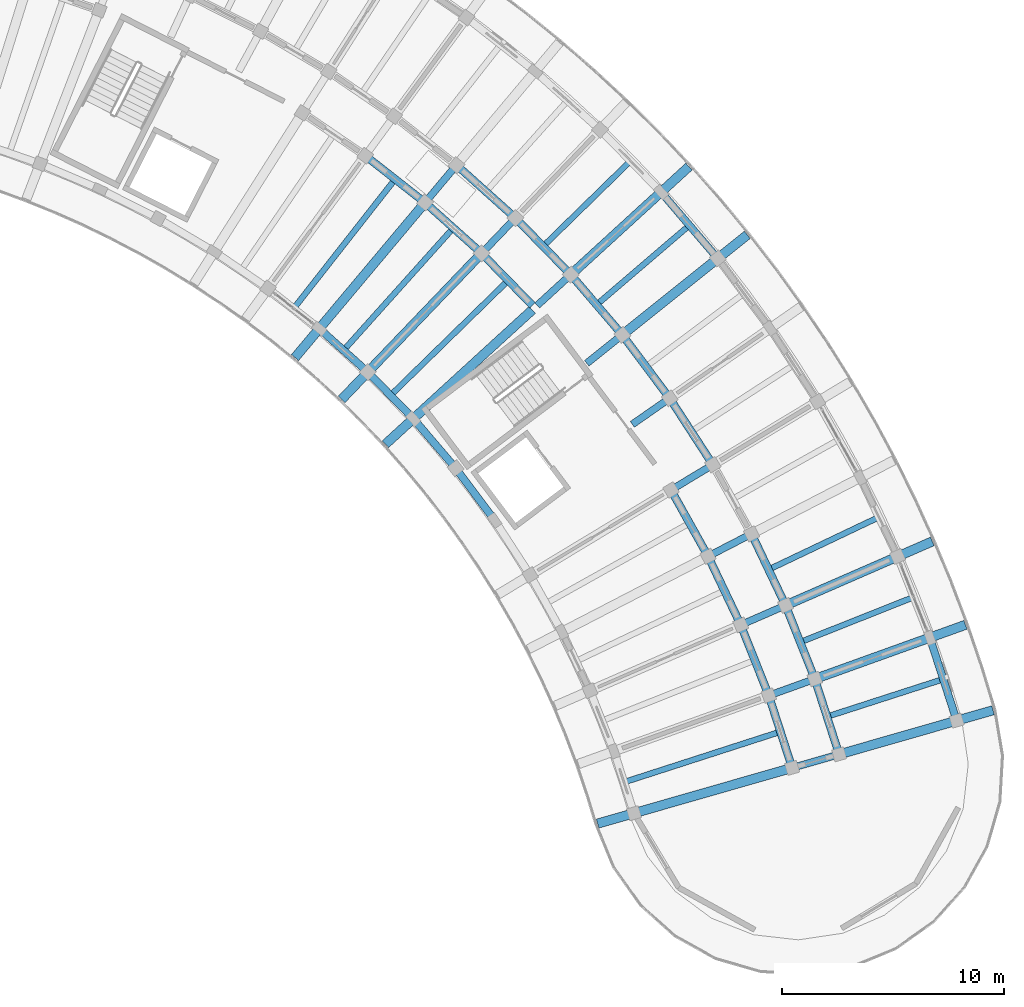
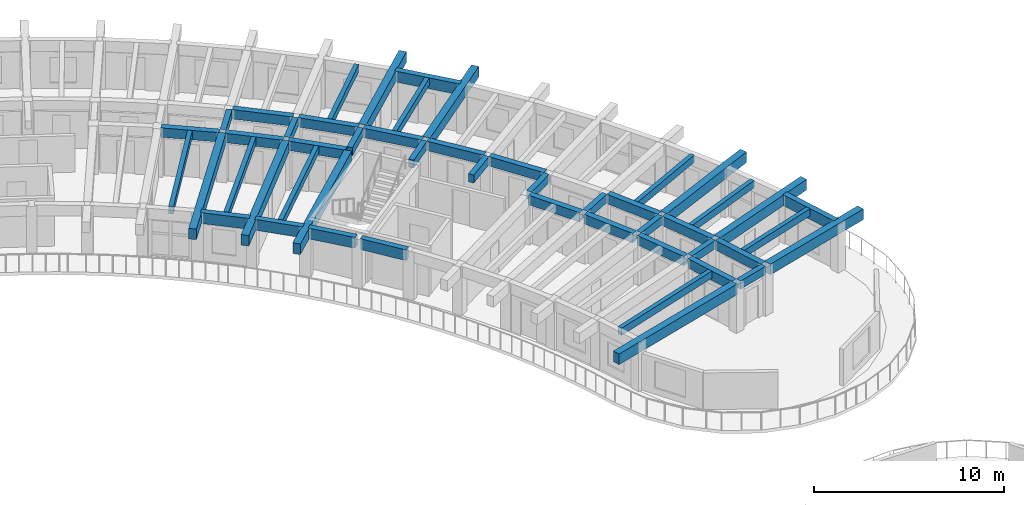
# One storey, part 36 of 96: 49 beams.
"""IFC4 building model written with IfcOpenShell, lengths in metres."""

from ifc_helpers import new_model, si_unit, direction, frame, origin, origin_2d, place, context, subcontext, project, spatial, rectangle, extrude, material, material_profile, profile_set, type_object, element, save


model = new_model("IFC4")

# Units and contexts
model_context = context("Model", 3, precision=1e-05, world=origin(), true_north=direction((0.0, 1.0)))
body_context = subcontext(model_context, "Body", "Model", "MODEL_VIEW")
ifc_project = project(units=[si_unit("LENGTHUNIT", "METRE"), si_unit("AREAUNIT", "SQUARE_METRE"), si_unit("VOLUMEUNIT", "CUBIC_METRE"), si_unit("PLANEANGLEUNIT", "RADIAN"), si_unit("MASSUNIT", "GRAM", prefix="KILO")], contexts=[model_context])

# Site, building, storey
site_placement = place(None, origin())
site = spatial("IfcSite", under=ifc_project, at=site_placement, CompositionType="ELEMENT")
building_placement = place(site_placement, origin())
building = spatial("IfcBuilding", under=site, at=building_placement, Name="Tanwirah Colonnade Gardens", CompositionType="ELEMENT")
storey_placement = place(building_placement, frame((0.0, 0.0, 12.199951171875)))
storey = spatial("IfcBuildingStorey", under=building, at=storey_placement, Name="L03", CompositionType="ELEMENT", Elevation=12.199951171875)

# Beams
ifc_material_1 = material(Name="Precast concrete C40/50", Category="concrete")
ifc_material_profile_1 = material_profile(ifc_material_1, rectangle(XDim=0.320068359375, YDim=0.52001953125, at=origin_2d()), Name="PC-BM 320x520")
ifc_profile_set_1 = profile_set([ifc_material_profile_1], Name="Precast concrete C40/50")
beam_type_1 = type_object("IfcBeamType", Name="BM-PC320", PredefinedType="BEAM", material=ifc_profile_set_1)
for number, where, z_axis, x_axis, name in (
    (1, (170.985595703125, 74.533203125, 2.844970703125), (0.961266538157, 0.275620468433, 0.0), (-0.275620468433, 0.961266538157, 0.0), "Block B L03 Corridor Tie Beam 0"),
    (2, (169.9326171875, 77.79541015625, 2.844970703125), (0.941021664552, 0.338346311999, 0.0), (-0.338346311999, 0.941021664552, 0.0), "Block B L03 Corridor Tie Beam 1"),
    (3, (168.6669921875, 80.981201171875, 2.844970703125), (0.916681481826, 0.399618644306, 0.0), (-0.399618644306, 0.916681481826, 0.0), "Block B L03 Corridor Tie Beam 2"),
):
    element("IfcBeam", number, at=place(storey_placement, frame(where, z_axis=z_axis, x_axis=x_axis)), inside=storey, type_object=beam_type_1, Name=name, PredefinedType="BEAM", context=body_context, shape_type="SweptSolid", body=[
        extrude(rectangle(XDim=0.320068359375, YDim=0.52001953125, at=origin_2d()), origin(), (0.0, 0.0, 1.0), 1.89990234375),
    ])
beam_1_placement = place(storey_placement, frame((167.194091796875, 84.07666015625, 2.844970703125), z_axis=(0.888385730697, 0.459097803844, 0.0), x_axis=(-0.459097803844, 0.888385730697, 0.0)))
element("IfcBeam", 4, at=beam_1_placement, inside=storey, type_object=beam_type_1, Name="Block B L03 Corridor Tie Beam 3", PredefinedType="BEAM", context=body_context, shape_type="SweptSolid", body=[
    extrude(rectangle(XDim=0.320068359375, YDim=0.52001953125, at=origin_2d()), origin(), (0.0, 0.0, 1.0), 1.900146484375),
])
for number, where, z_axis, x_axis, name in (
    (5, (165.520751953125, 87.068359375, 2.844970703125), (0.856174920318, 0.516686080534, 0.0), (-0.516686080534, 0.856174920318, 0.0), "Block B L03 Corridor Tie Beam 4"),
    (6, (163.653564453125, 89.943359375, 2.844970703125), (0.820305001782, 0.571926309983, 0.0), (-0.571926309983, 0.820305001782, 0.0), "Block B L03 Corridor Tie Beam 5"),
    (7, (161.601318359375, 92.68896484375, 2.844970703125), (0.78073089418, 0.624867402633, 0.0), (-0.624867402633, 0.78073089418, 0.0), "Block B L03 Corridor Tie Beam 6"),
    (8, (159.37255859375, 95.29345703125, 2.844970703125), (0.737948361517, 0.674857181732, 0.0), (-0.674857181732, 0.737948361517, 0.0), "Block B L03 Corridor Tie Beam 7"),
):
    element("IfcBeam", number, at=place(storey_placement, frame(where, z_axis=z_axis, x_axis=x_axis)), inside=storey, type_object=beam_type_1, Name=name, PredefinedType="BEAM", context=body_context, shape_type="SweptSolid", body=[
        extrude(rectangle(XDim=0.320068359375, YDim=0.52001953125, at=origin_2d()), origin(), (0.0, 0.0, 1.0), 1.89990234375),
    ])
beam_2_placement = place(storey_placement, frame((156.976806640625, 97.74560546875, 2.844970703125), z_axis=(0.691913735329, 0.721980181766, 0.0), x_axis=(-0.721980181766, 0.691913735329, 0.0)))
element("IfcBeam", 9, at=beam_2_placement, inside=storey, type_object=beam_type_1, Name="Block B L03 Corridor Tie Beam 8", PredefinedType="BEAM", context=body_context, shape_type="SweptSolid", body=[
    extrude(rectangle(XDim=0.320068359375, YDim=0.52001953125, at=origin_2d()), origin(), (0.0, 0.0, 1.0), 1.900146484375),
])
beam_3_placement = place(storey_placement, frame((154.425048828125, 100.034423828125, 2.844970703125), z_axis=(0.642797194343, 0.766036400535, 0.0), x_axis=(-0.766036400535, 0.642797194343, 0.0)))
element("IfcBeam", 10, at=beam_3_placement, inside=storey, type_object=beam_type_1, Name="Block B L03 Corridor Tie Beam 9", PredefinedType="BEAM", context=body_context, shape_type="SweptSolid", body=[
    extrude(rectangle(XDim=0.320068359375, YDim=0.52001953125, at=origin_2d()), origin(), (0.0, 0.0, 1.0), 1.89990234375),
])
ifc_material_profile_2 = material_profile(ifc_material_1, rectangle(XDim=0.35009765625, YDim=0.60009765625, at=origin_2d()), Name="PC-BM 350x600")
ifc_profile_set_2 = profile_set([ifc_material_profile_2], Name="Precast concrete C40/50")
beam_type_2 = type_object("IfcBeamType", Name="BM-PC350B", PredefinedType="BEAM", material=ifc_profile_set_2)
beam_4_placement = place(storey_placement, frame((170.79541015625, 74.634521484375, 2.804931640625), z_axis=(-0.307169780148, 0.951654730542, 0.0), x_axis=(-0.951654730542, -0.307169780148, 0.0)))
element("IfcBeam", 11, at=beam_4_placement, inside=storey, type_object=beam_type_2, Name="Block B L03 Circumferential Beam 0-R1", PredefinedType="BEAM", context=body_context, shape_type="SweptSolid", body=[
    extrude(rectangle(XDim=0.35009765625, YDim=0.60009765625, at=origin_2d()), origin(), (0.0, 0.0, 1.0), 3.117919921875),
])
beam_5_placement = place(storey_placement, frame((172.91015625, 75.240966796875, 2.804931640625), z_axis=(-0.307212636327, 0.9516408966, 0.0), x_axis=(-0.9516408966, -0.307212636327, 0.0)))
element("IfcBeam", 12, at=beam_5_placement, inside=storey, type_object=beam_type_2, Name="Block B L03 Circumferential Beam 0-R2", PredefinedType="BEAM", context=body_context, shape_type="SweptSolid", body=[
    extrude(rectangle(XDim=0.35009765625, YDim=0.60009765625, at=origin_2d()), origin(), (0.0, 0.0, 1.0), 3.262939453125),
])
beam_6_placement = place(storey_placement, frame((169.736083984375, 77.884033203125, 2.804931640625), z_axis=(-0.369189105832, 0.929354294193, 0.0), x_axis=(-0.929354294193, -0.369189105832, 0.0)))
element("IfcBeam", 13, at=beam_6_placement, inside=storey, type_object=beam_type_2, Name="Block B L03 Circumferential Beam 1-R1", PredefinedType="BEAM", context=body_context, shape_type="SweptSolid", body=[
    extrude(rectangle(XDim=0.35009765625, YDim=0.60009765625, at=origin_2d()), origin(), (0.0, 0.0, 1.0), 3.117919921875),
])
beam_7_placement = place(storey_placement, frame((171.806396484375, 78.62841796875, 2.804931640625), z_axis=(-0.369209712056, 0.929346108037, 0.0), x_axis=(-0.929346108037, -0.369209712056, 0.0)))
element("IfcBeam", 14, at=beam_7_placement, inside=storey, type_object=beam_type_2, Name="Block B L03 Circumferential Beam 1-R2", PredefinedType="BEAM", context=body_context, shape_type="SweptSolid", body=[
    extrude(rectangle(XDim=0.35009765625, YDim=0.60009765625, at=origin_2d()), origin(), (0.0, 0.0, 1.0), 3.26318359375),
])
beam_8_placement = place(storey_placement, frame((168.465087890625, 81.056640625, 2.804931640625), z_axis=(-0.429620507728, 0.903009534468, 0.0), x_axis=(-0.903009534468, -0.429620507728, 0.0)))
element("IfcBeam", 15, at=beam_8_placement, inside=storey, type_object=beam_type_2, Name="Block B L03 Circumferential Beam 2-R1", PredefinedType="BEAM", context=body_context, shape_type="SweptSolid", body=[
    extrude(rectangle(XDim=0.35009765625, YDim=0.60009765625, at=origin_2d()), origin(), (0.0, 0.0, 1.0), 3.1181640625),
])
beam_9_placement = place(storey_placement, frame((170.481689453125, 81.935791015625, 2.804931640625), z_axis=(-0.4295908638, 0.90302363742, 0.0), x_axis=(-0.90302363742, -0.4295908638, 0.0)))
element("IfcBeam", 16, at=beam_9_placement, inside=storey, type_object=beam_type_2, Name="Block B L03 Circumferential Beam 2-R2", PredefinedType="BEAM", context=body_context, shape_type="SweptSolid", body=[
    extrude(rectangle(XDim=0.35009765625, YDim=0.60009765625, at=origin_2d()), origin(), (0.0, 0.0, 1.0), 3.26318359375),
])
beam_10_placement = place(storey_placement, frame((166.98779296875, 84.138671875, 2.804931640625), z_axis=(-0.488200372352, 0.872731571811, 0.0), x_axis=(-0.872731571811, -0.488200372352, 0.0)))
element("IfcBeam", 17, at=beam_10_placement, inside=storey, type_object=beam_type_2, Name="Block B L03 Circumferential Beam 3-R1", PredefinedType="BEAM", context=body_context, shape_type="SweptSolid", body=[
    extrude(rectangle(XDim=0.35009765625, YDim=0.60009765625, at=origin_2d()), origin(), (0.0, 0.0, 1.0), 3.117919921875),
])
for number, where, z_axis, x_axis, name in (
    (18, (167.194091796875, 88.25341796875, 2.804931640625), (-0.544627998385, 0.838677735114, 0.0), (-0.838677735114, -0.544627998385, 0.0), "Block B L03 Circumferential Beam 4-R2"),
    (19, (165.245361328125, 91.236083984375, 2.804931640625), (-0.59871829396, 0.800959677186, 0.0), (-0.800959677186, -0.59871829396, 0.0), "Block B L03 Circumferential Beam 5-R2"),
):
    element("IfcBeam", number, at=place(storey_placement, frame(where, z_axis=z_axis, x_axis=x_axis)), inside=storey, type_object=beam_type_2, Name=name, PredefinedType="BEAM", context=body_context, shape_type="SweptSolid", body=[
        extrude(rectangle(XDim=0.35009765625, YDim=0.60009765625, at=origin_2d()), origin(), (0.0, 0.0, 1.0), 3.262939453125),
    ])
beam_11_placement = place(storey_placement, frame((163.1044921875, 94.083740234375, 2.804931640625), z_axis=(-0.650218192342, 0.759747525398, 0.0), x_axis=(-0.759747525398, -0.650218192342, 0.0)))
element("IfcBeam", 20, at=beam_11_placement, inside=storey, type_object=beam_type_2, Name="Block B L03 Circumferential Beam 6-R2", PredefinedType="BEAM", context=body_context, shape_type="SweptSolid", body=[
    extrude(rectangle(XDim=0.35009765625, YDim=0.60009765625, at=origin_2d()), origin(), (0.0, 0.0, 1.0), 3.26318359375),
])
beam_12_placement = place(storey_placement, frame((159.156982421875, 95.299560546875, 2.804931640625), z_axis=(-0.698837366631, 0.715280598787, 0.0), x_axis=(-0.715280598787, -0.698837366631, 0.0)))
element("IfcBeam", 21, at=beam_12_placement, inside=storey, type_object=beam_type_2, Name="Block B L03 Circumferential Beam 7-R1", PredefinedType="BEAM", context=body_context, shape_type="SweptSolid", body=[
    extrude(rectangle(XDim=0.35009765625, YDim=0.60009765625, at=origin_2d()), origin(), (0.0, 0.0, 1.0), 3.117919921875),
])
beam_13_placement = place(storey_placement, frame((160.780517578125, 96.7841796875, 2.804931640625), z_axis=(-0.698829447339, 0.71528833594, 0.0), x_axis=(-0.71528833594, -0.698829447339, 0.0)))
element("IfcBeam", 22, at=beam_13_placement, inside=storey, type_object=beam_type_2, Name="Block B L03 Circumferential Beam 7-R2", PredefinedType="BEAM", context=body_context, shape_type="SweptSolid", body=[
    extrude(rectangle(XDim=0.35009765625, YDim=0.60009765625, at=origin_2d()), origin(), (0.0, 0.0, 1.0), 3.263427734375),
])
beam_14_placement = place(storey_placement, frame((156.761474609375, 97.7373046875, 2.804931640625), z_axis=(-0.744429866059, 0.667700662363, 0.0), x_axis=(-0.667700662363, -0.744429866059, 0.0)))
element("IfcBeam", 23, at=beam_14_placement, inside=storey, type_object=beam_type_2, Name="Block B L03 Circumferential Beam 8-R1", PredefinedType="BEAM", context=body_context, shape_type="SweptSolid", body=[
    extrude(rectangle(XDim=0.35009765625, YDim=0.60009765625, at=origin_2d()), origin(), (0.0, 0.0, 1.0), 3.1181640625),
])
beam_15_placement = place(storey_placement, frame((158.283447265625, 99.32568359375, 2.804931640625), z_axis=(-0.744409136578, 0.667723773262, 0.0), x_axis=(-0.667723773262, -0.744409136578, 0.0)))
element("IfcBeam", 24, at=beam_15_placement, inside=storey, type_object=beam_type_2, Name="Block B L03 Circumferential Beam 8-R2", PredefinedType="BEAM", context=body_context, shape_type="SweptSolid", body=[
    extrude(rectangle(XDim=0.35009765625, YDim=0.60009765625, at=origin_2d()), origin(), (0.0, 0.0, 1.0), 3.26318359375),
])
beam_16_placement = place(storey_placement, frame((154.21044921875, 100.011962890625, 2.804931640625), z_axis=(-0.78679899272, 0.617209320292, 0.0), x_axis=(-0.617209320292, -0.78679899272, 0.0)))
element("IfcBeam", 25, at=beam_16_placement, inside=storey, type_object=beam_type_2, Name="Block B L03 Circumferential Beam 9-R1", PredefinedType="BEAM", context=body_context, shape_type="SweptSolid", body=[
    extrude(rectangle(XDim=0.35009765625, YDim=0.60009765625, at=origin_2d()), origin(), (0.0, 0.0, 1.0), 3.1181640625),
])
ifc_material_2 = material(Name="Precast concrete C45/55", Category="concrete")
ifc_material_profile_3 = material_profile(ifc_material_2, rectangle(XDim=0.419921875, YDim=0.679931640625, at=origin_2d()), Name="PC-BM 420x680")
ifc_profile_set_3 = profile_set([ifc_material_profile_3], Name="Precast concrete C45/55")
beam_type_3 = type_object("IfcBeamType", Name="BM-PC420", PredefinedType="BEAM", material=ifc_profile_set_3)
beam_17_placement = place(storey_placement, frame((170.697265625, 74.450439453125, 2.76513671875), z_axis=(-0.961258954076, -0.275646917646, 0.0), x_axis=(0.275646917646, -0.961258954076, 0.0)))
element("IfcBeam", 26, at=beam_17_placement, inside=storey, type_object=beam_type_3, Name="Block B L03 Inner Radial Precast Girder 0", PredefinedType="BEAM", context=body_context, shape_type="SweptSolid", body=[
    extrude(rectangle(XDim=0.419921875, YDim=0.679931640625, at=origin_2d()), origin(), (0.0, 0.0, 1.0), 8.949951171875),
])
for number, where, z_axis, x_axis, name in (
    (27, (173.100341796875, 75.1396484375, 2.76513671875), (0.961266085595, 0.275622046806, 0.0), (-0.275622046806, 0.961266085595, 0.0), "Block B L03 Outer Radial Precast Girder 0"),
    (28, (172.0029296875, 78.539794921875, 2.76513671875), (0.941011841171, 0.338373631917, 0.0), (-0.338373631917, 0.941011841171, 0.0), "Block B L03 Outer Radial Precast Girder 1"),
):
    element("IfcBeam", number, at=place(storey_placement, frame(where, z_axis=z_axis, x_axis=x_axis)), inside=storey, type_object=beam_type_3, Name=name, PredefinedType="BEAM", context=body_context, shape_type="SweptSolid", body=[
        extrude(rectangle(XDim=0.419921875, YDim=0.679931640625, at=origin_2d()), origin(), (0.0, 0.0, 1.0), 7.0498046875),
    ])
for number, where, z_axis, x_axis, name in (
    (29, (170.68359375, 81.8603515625, 2.76513671875), (0.916678725612, 0.399624966702, 0.0), (-0.399624966702, 0.916678725612, 0.0), "Block B L03 Outer Radial Precast Girder 2"),
    (30, (163.319091796875, 94.0634765625, 2.76513671875), (0.780794476885, 0.624787951921, 0.0), (-0.624787951921, 0.780794476885, 0.0), "Block B L03 Outer Radial Precast Girder 6"),
):
    element("IfcBeam", number, at=place(storey_placement, frame(where, z_axis=z_axis, x_axis=x_axis)), inside=storey, type_object=beam_type_3, Name=name, PredefinedType="BEAM", context=body_context, shape_type="SweptSolid", body=[
        extrude(rectangle(XDim=0.419921875, YDim=0.679931640625, at=origin_2d()), origin(), (0.0, 0.0, 1.0), 7.050048828125),
    ])
beam_18_placement = place(storey_placement, frame((159.151123046875, 95.091064453125, 2.76513671875), z_axis=(-0.737937205818, -0.674869380154, 0.0), x_axis=(0.674869380154, -0.737937205818, 0.0)))
element("IfcBeam", 31, at=beam_18_placement, inside=storey, type_object=beam_type_3, Name="Block B L03 Inner Radial Precast Girder 7", PredefinedType="BEAM", context=body_context, shape_type="SweptSolid", body=[
    extrude(rectangle(XDim=0.419921875, YDim=0.679931640625, at=origin_2d()), origin(), (0.0, 0.0, 1.0), 8.949951171875),
])
beam_19_placement = place(storey_placement, frame((160.995849609375, 96.7783203125, 2.76513671875), z_axis=(0.737934199263, 0.674872667663, 0.0), x_axis=(-0.674872667663, 0.737934199263, 0.0)))
element("IfcBeam", 32, at=beam_19_placement, inside=storey, type_object=beam_type_3, Name="Block B L03 Outer Radial Precast Girder 7", PredefinedType="BEAM", context=body_context, shape_type="SweptSolid", body=[
    extrude(rectangle(XDim=0.419921875, YDim=0.679931640625, at=origin_2d()), origin(), (0.0, 0.0, 1.0), 7.050048828125),
])
for number, where, z_axis, x_axis, name in (
    (33, (156.769287109375, 97.52880859375, 2.76513671875), (-0.691860926595, -0.722030787606, 0.0), (0.722030787606, -0.691860926595, 0.0), "Block B L03 Inner Radial Precast Girder 8"),
    (34, (154.232177734375, 99.804443359375, 2.76513671875), (-0.64279407932, -0.766039014406, 0.0), (0.766039014406, -0.64279407932, 0.0), "Block B L03 Inner Radial Precast Girder 9"),
):
    element("IfcBeam", number, at=place(storey_placement, frame(where, z_axis=z_axis, x_axis=x_axis)), inside=storey, type_object=beam_type_3, Name=name, PredefinedType="BEAM", context=body_context, shape_type="SweptSolid", body=[
        extrude(rectangle(XDim=0.419921875, YDim=0.679931640625, at=origin_2d()), origin(), (0.0, 0.0, 1.0), 8.949951171875),
    ])
ifc_material_profile_4 = material_profile(ifc_material_1, rectangle(XDim=0.260009765625, YDim=0.4599609375, at=origin_2d()), Name="PC-JST 260x460")
ifc_profile_set_4 = profile_set([ifc_material_profile_4], Name="Precast concrete C40/50")
beam_type_4 = type_object("IfcBeamType", Name="JST-PC260", PredefinedType="JOIST", material=ifc_profile_set_4)
beam_20_placement = place(storey_placement, frame((172.551025390625, 76.839599609375, 2.875), z_axis=(0.951656985441, 0.307162794072, 0.0), x_axis=(-0.307162794072, 0.951656985441, 0.0)))
element("IfcBeam", 35, at=beam_20_placement, inside=storey, type_object=beam_type_4, Name="Block B L03 Precast Floor Joist 0", PredefinedType="JOIST", context=body_context, shape_type="SweptSolid", body=[
    extrude(rectangle(XDim=0.260009765625, YDim=0.4599609375, at=origin_2d()), origin(), (0.0, 0.0, 1.0), 5.26025390625),
])
beam_21_placement = place(storey_placement, frame((163.415283203125, 73.890625, 2.875), z_axis=(0.951647858625, 0.307191069489, 0.0), x_axis=(-0.307191069489, 0.951647858625, 0.0)))
element("IfcBeam", 36, at=beam_21_placement, inside=storey, type_object=beam_type_4, Name="Block B L03 Inner Precast Floor Joist 0", PredefinedType="JOIST", context=body_context, shape_type="SweptSolid", body=[
    extrude(rectangle(XDim=0.260009765625, YDim=0.4599609375, at=origin_2d()), origin(), (0.0, 0.0, 1.0), 7.159912109375),
])
beam_22_placement = place(storey_placement, frame((171.3427734375, 80.199951171875, 2.875), z_axis=(0.929357539836, 0.369180935517, 0.0), x_axis=(-0.369180935517, 0.929357539836, 0.0)))
element("IfcBeam", 37, at=beam_22_placement, inside=storey, type_object=beam_type_4, Name="Block B L03 Precast Floor Joist 1", PredefinedType="JOIST", context=body_context, shape_type="SweptSolid", body=[
    extrude(rectangle(XDim=0.260009765625, YDim=0.4599609375, at=origin_2d()), origin(), (0.0, 0.0, 1.0), 5.260009765625),
])
for number, where, z_axis, x_axis, name in (
    (38, (169.91552734375, 83.473388671875, 2.875), (0.903018314862, 0.429602051931, 0.0), (-0.429602051931, 0.903018314862, 0.0), "Block B L03 Precast Floor Joist 2"),
    (39, (162.156982421875, 95.42041015625, 2.875), (0.759770723643, 0.65019108537, 0.0), (-0.65019108537, 0.759770723643, 0.0), "Block B L03 Precast Floor Joist 6"),
):
    element("IfcBeam", number, at=place(storey_placement, frame(where, z_axis=z_axis, x_axis=x_axis)), inside=storey, type_object=beam_type_4, Name=name, PredefinedType="JOIST", context=body_context, shape_type="SweptSolid", body=[
        extrude(rectangle(XDim=0.260009765625, YDim=0.4599609375, at=origin_2d()), origin(), (0.0, 0.0, 1.0), 5.26025390625),
    ])
beam_23_placement = place(storey_placement, frame((159.7470703125, 98.0556640625, 2.875), z_axis=(0.715297399369, 0.698820170327, 0.0), x_axis=(-0.698820170327, 0.715297399369, 0.0)))
element("IfcBeam", 40, at=beam_23_placement, inside=storey, type_object=beam_type_4, Name="Block B L03 Precast Floor Joist 7", PredefinedType="JOIST", context=body_context, shape_type="SweptSolid", body=[
    extrude(rectangle(XDim=0.260009765625, YDim=0.4599609375, at=origin_2d()), origin(), (0.0, 0.0, 1.0), 5.260009765625),
])
beam_24_placement = place(storey_placement, frame((152.88037109375, 91.346923828125, 2.875), z_axis=(0.715276680509, 0.698841377081, 0.0), x_axis=(-0.698841377081, 0.715276680509, 0.0)))
element("IfcBeam", 41, at=beam_24_placement, inside=storey, type_object=beam_type_4, Name="Block B L03 Inner Precast Floor Joist 7", PredefinedType="JOIST", context=body_context, shape_type="SweptSolid", body=[
    extrude(rectangle(XDim=0.260009765625, YDim=0.4599609375, at=origin_2d()), origin(), (0.0, 0.0, 1.0), 7.159912109375),
])
beam_25_placement = place(storey_placement, frame((150.7587890625, 93.379638671875, 2.875), z_axis=(0.667688404274, 0.744440860511, 0.0), x_axis=(-0.744440860511, 0.667688404274, 0.0)))
element("IfcBeam", 42, at=beam_25_placement, inside=storey, type_object=beam_type_4, Name="Block B L03 Inner Precast Floor Joist 8", PredefinedType="JOIST", context=body_context, shape_type="SweptSolid", body=[
    extrude(rectangle(XDim=0.260009765625, YDim=0.4599609375, at=origin_2d()), origin(), (0.0, 0.0, 1.0), 7.16015625),
])
beam_26_placement = place(storey_placement, frame((148.508056640625, 95.268310546875, 2.875), z_axis=(0.617202438917, 0.786804390808, 0.0), x_axis=(-0.786804390808, 0.617202438917, 0.0)))
element("IfcBeam", 43, at=beam_26_placement, inside=storey, type_object=beam_type_4, Name="Block B L03 Inner Precast Floor Joist 9", PredefinedType="JOIST", context=body_context, shape_type="SweptSolid", body=[
    extrude(rectangle(XDim=0.260009765625, YDim=0.4599609375, at=origin_2d()), origin(), (0.0, 0.0, 1.0), 7.159912109375),
])
ifc_material_profile_5 = material_profile(ifc_material_1, rectangle(XDim=0.3349609375, YDim=0.695068359375, at=origin_2d()), Name="PC-SP 335x695")
ifc_profile_set_5 = profile_set([ifc_material_profile_5], Name="Precast concrete C40/50")
beam_type_5 = type_object("IfcBeamType", Name="SP-PC300", PredefinedType="SPANDREL", material=ifc_profile_set_5)
beam_27_placement = place(storey_placement, frame((178.197021484375, 76.7568359375, 2.757568359375), z_axis=(-0.307183773768, 0.951650213647, 0.0), x_axis=(-0.951650213647, -0.307183773768, 0.0)))
element("IfcBeam", 44, at=beam_27_placement, inside=storey, type_object=beam_type_5, Name="Block B L03 Circumferential Beam 0-R3", PredefinedType="SPANDREL", context=body_context, shape_type="SweptSolid", body=[
    extrude(rectangle(XDim=0.3349609375, YDim=0.695068359375, at=origin_2d()), origin(), (0.0, 0.0, 1.0), 3.625732421875),
])
beam_28_placement = place(storey_placement, frame((157.370849609375, 85.744873046875, 2.757568359375), z_axis=(-0.598662613551, 0.80100129534, 0.0), x_axis=(-0.80100129534, -0.598662613551, 0.0)))
element("IfcBeam", 45, at=beam_28_placement, inside=storey, type_object=beam_type_5, Name="Block B L03 Circumferential Beam 5-R0", PredefinedType="SPANDREL", context=body_context, shape_type="SweptSolid", body=[
    extrude(rectangle(XDim=0.3349609375, YDim=0.695068359375, at=origin_2d()), origin(), (0.0, 0.0, 1.0), 2.63037109375),
])
beam_29_placement = place(storey_placement, frame((155.60888671875, 88.0859375, 2.757568359375), z_axis=(-0.650217875778, 0.759747796323, 0.0), x_axis=(-0.759747796323, -0.650217875778, 0.0)))
element("IfcBeam", 46, at=beam_29_placement, inside=storey, type_object=beam_type_5, Name="Block B L03 Circumferential Beam 6-R0", PredefinedType="SPANDREL", context=body_context, shape_type="SweptSolid", body=[
    extrude(rectangle(XDim=0.3349609375, YDim=0.695068359375, at=origin_2d()), origin(), (0.0, 0.0, 1.0), 2.630126953125),
])
beam_30_placement = place(storey_placement, frame((167.398681640625, 97.52001953125, 2.757568359375), z_axis=(-0.650170105297, 0.759788677317, 0.0), x_axis=(-0.759788677317, -0.650170105297, 0.0)))
element("IfcBeam", 47, at=beam_30_placement, inside=storey, type_object=beam_type_5, Name="Block B L03 Circumferential Beam 6-R3", PredefinedType="SPANDREL", context=body_context, shape_type="SweptSolid", body=[
    extrude(rectangle(XDim=0.3349609375, YDim=0.695068359375, at=origin_2d()), origin(), (0.0, 0.0, 1.0), 3.625732421875),
])
beam_31_placement = place(storey_placement, frame((153.6962890625, 90.305419921875, 2.757568359375), z_axis=(-0.698844462704, 0.715273665772, 0.0), x_axis=(-0.715273665772, -0.698844462704, 0.0)))
element("IfcBeam", 48, at=beam_31_placement, inside=storey, type_object=beam_type_5, Name="Block B L03 Circumferential Beam 7-R0", PredefinedType="SPANDREL", context=body_context, shape_type="SweptSolid", body=[
    extrude(rectangle(XDim=0.3349609375, YDim=0.695068359375, at=origin_2d()), origin(), (0.0, 0.0, 1.0), 2.630126953125),
])
beam_32_placement = place(storey_placement, frame((151.6416015625, 92.394287109375, 2.757568359375), z_axis=(-0.744400790288, 0.667733077972, 0.0), x_axis=(-0.667733077972, -0.744400790288, 0.0)))
element("IfcBeam", 49, at=beam_32_placement, inside=storey, type_object=beam_type_5, Name="Block B L03 Circumferential Beam 8-R0", PredefinedType="SPANDREL", context=body_context, shape_type="SweptSolid", body=[
    extrude(rectangle(XDim=0.3349609375, YDim=0.695068359375, at=origin_2d()), origin(), (0.0, 0.0, 1.0), 2.63037109375),
])

save(model, "model.ifc")
